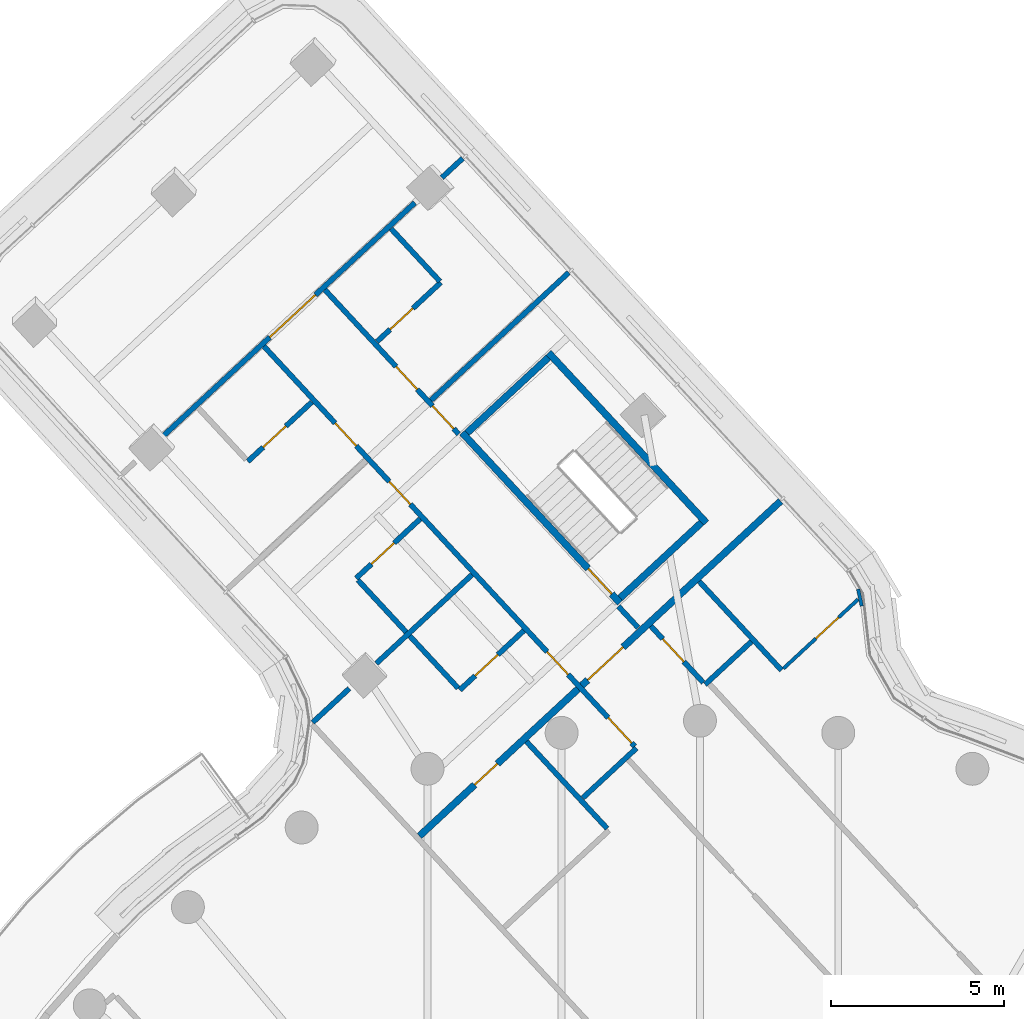
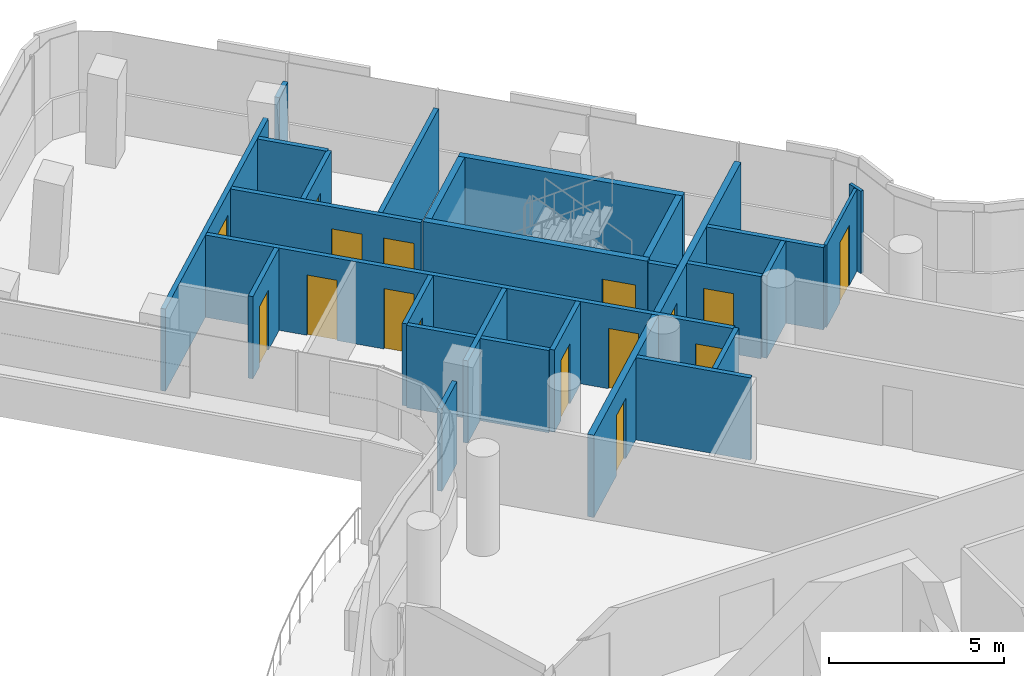
# One storey, part 25 of 34: 26 walls, 16 doors, 16 openings.
"""IFC4 building model written with IfcOpenShell, lengths in metres."""

from ifc_helpers import new_model, si_unit, direction, frame, frame_2d, origin, place, context, subcontext, project, spatial, polyline, rectangle, outline, extrude, material, layer, layer_set, type_object, element, fill, save


model = new_model("IFC4")

# Units and contexts
model_context = context("Model", 3, precision=1e-05, world=origin(), true_north=direction((0.0, 1.0)))
body_context = subcontext(model_context, "Body", "Model", "MODEL_VIEW")
ifc_project = project(units=[si_unit("LENGTHUNIT", "METRE"), si_unit("AREAUNIT", "SQUARE_METRE"), si_unit("VOLUMEUNIT", "CUBIC_METRE"), si_unit("PLANEANGLEUNIT", "RADIAN"), si_unit("MASSUNIT", "GRAM", prefix="KILO")], contexts=[model_context])

# Site, building, storey
site_placement = place(None, origin())
site = spatial("IfcSite", under=ifc_project, at=site_placement, CompositionType="ELEMENT")
building_placement = place(site_placement, origin())
building = spatial("IfcBuilding", under=site, at=building_placement, Name="Tamarind Cross Interchange Tower", CompositionType="ELEMENT")
storey_placement = place(building_placement, frame((0.0, 0.0, 189.699951171875)))
storey = spatial("IfcBuildingStorey", under=building, at=storey_placement, Name="L47", CompositionType="ELEMENT", Elevation=189.699951171875)

# Wall, opening, door
ifc_material_1 = material(Name="Gypsum board partition on steel studs", Category="steel")
ifc_layer_1 = layer(ifc_material_1, 0.10009765625)
ifc_layer_set_1 = layer_set([ifc_layer_1], Name="Gypsum board partition on steel studs")
wall_type_1 = type_object("IfcWallType", Name="Partition 100 mm EI 90", PredefinedType="PARTITIONING", material=ifc_layer_set_1)
wall_1_placement = place(storey_placement, frame((2.411865234375, 24.50927734375, 0.0), z_axis=(0.0, 0.0, 1.0), x_axis=(0.733258356223, 0.679950132752, 0.0)))
wall_1 = element("IfcWall", 1, at=wall_1_placement, inside=storey, type_object=wall_type_1, Name="Partition L47-067", PredefinedType="PARTITIONING", context=body_context, shape_type="SweptSolid", body=[
    extrude(rectangle(XDim=2.935546875, YDim=0.10009765625, at=frame_2d((1.4677734375, 0.0))), origin(), (0.0, 0.0, 1.0), 2.864013671875),
])
opening_1_placement = place(wall_1_placement, frame((1.27490234375, 0.0, 0.0)))
opening_1 = element("IfcOpeningElement", 2, at=opening_1_placement, cuts=wall_1, Name="Opening D39", PredefinedType="OPENING", context=body_context, shape_type="SweptSolid", body=[
    extrude(rectangle(XDim=0.89990234375, YDim=2.10009765625, at=frame_2d((0.449951171875, 1.050048828125))), frame((0.0, 0.06005859375, 0.0), z_axis=(0.0, -1.0, 0.0), x_axis=(1.0, 0.0, 0.0)), (0.0, 0.0, 1.0), 0.1201171875),
])
ifc_material_2 = material(Name="Fire-resisting door set")
door_type_1 = type_object("IfcDoorType", Name="Interior door 900 x 2100 FD60S", OperationType="SINGLE_SWING_LEFT", PredefinedType="DOOR", material=ifc_material_2)
door_1_placement = place(opening_1_placement, origin())
door_1 = element("IfcDoor", 3, at=door_1_placement, inside=storey, type_object=door_type_1, Name="Door D39", OperationType="SINGLE_SWING_LEFT", OverallHeight=2.10009765625, OverallWidth=0.89990234375, PredefinedType="DOOR", context=body_context, shape_type="SweptSolid", body=[
    extrude(rectangle(XDim=0.89990234375, YDim=2.10009765625, at=frame_2d((0.449951171875, 1.050048828125))), frame((0.0, 0.02490234375, 0.0), z_axis=(0.0, -1.0, 0.0), x_axis=(1.0, 0.0, 0.0)), (0.0, 0.0, 1.0), 0.050048828125),
])
fill(opening_1, door_1)

# Walls
wall_2_placement = place(storey_placement, frame((4.671142578125, 26.311767578125, 0.0), z_axis=(0.0, 0.0, 1.0), x_axis=(-0.207093447058, 0.978321166175, 0.0)))
element("IfcWall", 4, at=wall_2_placement, inside=storey, type_object=wall_type_1, Name="Partition L47-094", PredefinedType="PARTITIONING", context=body_context, shape_type="SweptSolid", body=[
    extrude(rectangle(XDim=0.499755859375, YDim=0.10009765625, at=frame_2d((0.25, 0.0))), origin(), (0.0, 0.0, 1.0), 2.864013671875),
])
ifc_layer_2 = layer(ifc_material_1, 0.14990234375)
ifc_layer_set_2 = layer_set([ifc_layer_2], Name="Gypsum board partition on steel studs")
wall_type_2 = type_object("IfcWallType", Name="Partition 150 mm EI 120", PredefinedType="PARTITIONING", material=ifc_layer_set_2)
wall_3_placement = place(storey_placement, frame((-9.874267578125, 27.061767578125, 0.0), z_axis=(0.0, 0.0, 1.0), x_axis=(0.679983920545, -0.73322702337, 0.0)))
element("IfcWall", 5, at=wall_3_placement, inside=storey, type_object=wall_type_2, Name="Partition L47-012", PredefinedType="PARTITIONING", context=body_context, shape_type="SweptSolid", body=[
    extrude(rectangle(XDim=4.250732421875, YDim=0.14990234375, at=frame_2d((2.12548828125, 0.0))), origin(), (0.0, 0.0, 1.0), 2.864013671875),
])

# Wall, openings, doors
wall_4_placement = place(storey_placement, frame((-12.587646484375, 33.811279296875, 0.0), z_axis=(0.0, 0.0, 1.0), x_axis=(0.6797793132, -0.733416720116, 0.0)))
wall_4 = element("IfcWall", 6, at=wall_4_placement, inside=storey, type_object=wall_type_2, Name="Partition L47-013", PredefinedType="PARTITIONING", context=body_context, shape_type="SweptSolid", body=[
    extrude(rectangle(XDim=15.744384765625, YDim=0.14990234375, at=frame_2d((7.8720703125, 0.0))), origin(), (0.0, 0.0, 1.0), 2.864013671875),
])
opening_2_placement = place(wall_4_placement, frame((14.619140625, 0.0, 0.0)))
opening_2 = element("IfcOpeningElement", 7, at=opening_2_placement, cuts=wall_4, Name="Opening D05", PredefinedType="OPENING", context=body_context, shape_type="SweptSolid", body=[
    extrude(rectangle(XDim=1.0, YDim=2.10009765625, at=frame_2d((0.5, 1.050048828125))), frame((0.0, 0.0849609375, 0.0), z_axis=(0.0, -1.0, 0.0), x_axis=(1.0, 0.0, 0.0)), (0.0, 0.0, 1.0), 0.169921875),
])
opening_3_placement = place(wall_4_placement, frame((12.02001953125, 0.0, 0.0)))
opening_3 = element("IfcOpeningElement", 8, at=opening_3_placement, cuts=wall_4, Name="Opening D06", PredefinedType="OPENING", context=body_context, shape_type="SweptSolid", body=[
    extrude(rectangle(XDim=0.89990234375, YDim=2.10009765625, at=frame_2d((0.449951171875, 1.050048828125))), frame((0.0, 0.0849609375, 0.0), z_axis=(0.0, -1.0, 0.0), x_axis=(1.0, 0.0, 0.0)), (0.0, 0.0, 1.0), 0.169921875),
])
opening_4_placement = place(wall_4_placement, frame((5.319580078125, 0.0, 0.0)))
opening_4 = element("IfcOpeningElement", 9, at=opening_4_placement, cuts=wall_4, Name="Opening D07", PredefinedType="OPENING", context=body_context, shape_type="SweptSolid", body=[
    extrude(rectangle(XDim=0.89990234375, YDim=2.10009765625, at=frame_2d((0.449951171875, 1.050048828125))), frame((0.0, 0.0849609375, 0.0), z_axis=(0.0, -1.0, 0.0), x_axis=(1.0, 0.0, 0.0)), (0.0, 0.0, 1.0), 0.169921875),
])
opening_5_placement = place(wall_4_placement, frame((3.019287109375, 0.0, 0.0)))
opening_5 = element("IfcOpeningElement", 10, at=opening_5_placement, cuts=wall_4, Name="Opening D08", PredefinedType="OPENING", context=body_context, shape_type="SweptSolid", body=[
    extrude(rectangle(XDim=0.89990234375, YDim=2.10009765625, at=frame_2d((0.449951171875, 1.050048828125))), frame((0.0, 0.0849609375, 0.0), z_axis=(0.0, -1.0, 0.0), x_axis=(1.0, 0.0, 0.0)), (0.0, 0.0, 1.0), 0.169921875),
])
door_type_2 = type_object("IfcDoorType", Name="Interior door 1000 x 2100 FD60S", OperationType="SINGLE_SWING_LEFT", PredefinedType="DOOR", material=ifc_material_2)
door_2_placement = place(opening_2_placement, frame((1.0, 0.0, 0.0), z_axis=(0.0, 0.0, 1.0), x_axis=(-1.0, 0.0, 0.0)))
door_2 = element("IfcDoor", 11, at=door_2_placement, inside=storey, type_object=door_type_2, Name="Door D05", OperationType="SINGLE_SWING_RIGHT", OverallHeight=2.10009765625, OverallWidth=1.0, PredefinedType="DOOR", context=body_context, shape_type="SweptSolid", body=[
    extrude(rectangle(XDim=1.0, YDim=2.10009765625, at=frame_2d((0.5, 1.050048828125))), frame((0.0, 0.02490234375, 0.0), z_axis=(0.0, -1.0, 0.0), x_axis=(1.0, 0.0, 0.0)), (0.0, 0.0, 1.0), 0.050048828125),
])
fill(opening_2, door_2)
door_3_placement = place(opening_3_placement, frame((0.89990234375, 0.0, 0.0), z_axis=(0.0, 0.0, 1.0), x_axis=(-1.0, 0.0, 0.0)))
door_3 = element("IfcDoor", 12, at=door_3_placement, inside=storey, type_object=door_type_1, Name="Door D06", OperationType="SINGLE_SWING_RIGHT", OverallHeight=2.10009765625, OverallWidth=0.89990234375, PredefinedType="DOOR", context=body_context, shape_type="SweptSolid", body=[
    extrude(rectangle(XDim=0.89990234375, YDim=2.10009765625, at=frame_2d((0.449951171875, 1.050048828125))), frame((0.0, 0.02490234375, 0.0), z_axis=(0.0, -1.0, 0.0), x_axis=(1.0, 0.0, 0.0)), (0.0, 0.0, 1.0), 0.050048828125),
])
fill(opening_3, door_3)
door_4_placement = place(opening_4_placement, frame((0.89990234375, 0.0, 0.0), z_axis=(0.0, 0.0, 1.0), x_axis=(-1.0, 0.0, 0.0)))
door_4 = element("IfcDoor", 13, at=door_4_placement, inside=storey, type_object=door_type_1, Name="Door D07", OperationType="SINGLE_SWING_LEFT", OverallHeight=2.10009765625, OverallWidth=0.89990234375, PredefinedType="DOOR", context=body_context, shape_type="SweptSolid", body=[
    extrude(rectangle(XDim=0.89990234375, YDim=2.10009765625, at=frame_2d((0.449951171875, 1.050048828125))), frame((0.0, 0.02490234375, 0.0), z_axis=(0.0, -1.0, 0.0), x_axis=(1.0, 0.0, 0.0)), (0.0, 0.0, 1.0), 0.050048828125),
])
fill(opening_4, door_4)
door_5_placement = place(opening_5_placement, frame((0.89990234375, 0.0, 0.0), z_axis=(0.0, 0.0, 1.0), x_axis=(-1.0, 0.0, 0.0)))
door_5 = element("IfcDoor", 14, at=door_5_placement, inside=storey, type_object=door_type_1, Name="Door D08", OperationType="SINGLE_SWING_LEFT", OverallHeight=2.10009765625, OverallWidth=0.89990234375, PredefinedType="DOOR", context=body_context, shape_type="SweptSolid", body=[
    extrude(rectangle(XDim=0.89990234375, YDim=2.10009765625, at=frame_2d((0.449951171875, 1.050048828125))), frame((0.0, 0.02490234375, 0.0), z_axis=(0.0, -1.0, 0.0), x_axis=(1.0, 0.0, 0.0)), (0.0, 0.0, 1.0), 0.050048828125),
])
fill(opening_5, door_5)

wall_5_placement = place(storey_placement, frame((-10.82861328125, 35.443359375, 0.0), z_axis=(0.0, 0.0, 1.0), x_axis=(0.679892086102, -0.733312178581, 0.0)))
wall_5 = element("IfcWall", 15, at=wall_5_placement, inside=storey, type_object=wall_type_2, Name="Partition L47-015", PredefinedType="PARTITIONING", context=body_context, shape_type="SweptSolid", body=[
    extrude(rectangle(XDim=5.6806640625, YDim=0.14990234375, at=frame_2d((2.84033203125, 0.0))), origin(), (0.0, 0.0, 1.0), 2.864013671875),
])
opening_6_placement = place(wall_5_placement, frame((3.02001953125, 0.0, 0.0)))
opening_6 = element("IfcOpeningElement", 16, at=opening_6_placement, cuts=wall_5, Name="Opening D09", PredefinedType="OPENING", context=body_context, shape_type="SweptSolid", body=[
    extrude(rectangle(XDim=0.89990234375, YDim=2.10009765625, at=frame_2d((0.449951171875, 1.050048828125))), frame((0.0, 0.0849609375, 0.0), z_axis=(0.0, -1.0, 0.0), x_axis=(1.0, 0.0, 0.0)), (0.0, 0.0, 1.0), 0.169921875),
])
opening_7_placement = place(wall_5_placement, frame((4.5703125, 0.0, 0.0)))
opening_7 = element("IfcOpeningElement", 17, at=opening_7_placement, cuts=wall_5, Name="Opening D10", PredefinedType="OPENING", context=body_context, shape_type="SweptSolid", body=[
    extrude(rectangle(XDim=0.89990234375, YDim=2.10009765625, at=frame_2d((0.449951171875, 1.050048828125))), frame((0.0, 0.0849609375, 0.0), z_axis=(0.0, -1.0, 0.0), x_axis=(1.0, 0.0, 0.0)), (0.0, 0.0, 1.0), 0.169921875),
])
door_6_placement = place(opening_6_placement, origin())
door_6 = element("IfcDoor", 18, at=door_6_placement, inside=storey, type_object=door_type_1, Name="Door D09", OperationType="SINGLE_SWING_LEFT", OverallHeight=2.10009765625, OverallWidth=0.89990234375, PredefinedType="DOOR", context=body_context, shape_type="SweptSolid", body=[
    extrude(rectangle(XDim=0.89990234375, YDim=2.10009765625, at=frame_2d((0.449951171875, 1.050048828125))), frame((0.0, 0.02490234375, 0.0), z_axis=(0.0, -1.0, 0.0), x_axis=(1.0, 0.0, 0.0)), (0.0, 0.0, 1.0), 0.050048828125),
])
fill(opening_6, door_6)
door_7_placement = place(opening_7_placement, origin())
door_7 = element("IfcDoor", 19, at=door_7_placement, inside=storey, type_object=door_type_1, Name="Door D10", OperationType="SINGLE_SWING_LEFT", OverallHeight=2.10009765625, OverallWidth=0.89990234375, PredefinedType="DOOR", context=body_context, shape_type="SweptSolid", body=[
    extrude(rectangle(XDim=0.89990234375, YDim=2.10009765625, at=frame_2d((0.449951171875, 1.050048828125))), frame((0.0, 0.02490234375, 0.0), z_axis=(0.0, -1.0, 0.0), x_axis=(1.0, 0.0, 0.0)), (0.0, 0.0, 1.0), 0.050048828125),
])
fill(opening_7, door_7)

# Walls
wall_6_placement = place(storey_placement, frame((-2.3564453125, 26.3056640625, 0.0), z_axis=(0.0, 0.0, 1.0), x_axis=(0.679848592059, -0.733352501785, 0.0)))
element("IfcWall", 20, at=wall_6_placement, inside=storey, type_object=wall_type_2, Name="Partition L47-016", PredefinedType="PARTITIONING", context=body_context, shape_type="SweptSolid", body=[
    extrude(rectangle(XDim=0.839599609375, YDim=0.14990234375, at=frame_2d((0.419921875, 0.0))), origin(), (0.0, 0.0, 1.0), 2.864013671875),
])
wall_7_placement = place(storey_placement, frame((-8.921630859375, 37.211181640625, 0.0), z_axis=(0.0, 0.0, 1.0), x_axis=(0.67984779137, -0.733353244057, 0.0)))
element("IfcWall", 21, at=wall_7_placement, inside=storey, type_object=wall_type_2, Name="Partition L47-018", PredefinedType="PARTITIONING", context=body_context, shape_type="SweptSolid", body=[
    extrude(rectangle(XDim=2.08056640625, YDim=0.14990234375, at=frame_2d((1.040283203125, 0.0))), origin(), (0.0, 0.0, 1.0), 2.864013671875),
])
wall_8_placement = place(storey_placement, frame((-5.009033203125, 22.401611328125, 0.0), z_axis=(0.0, 0.0, 1.0), x_axis=(0.679947924825, -0.733260403627, 0.0)))
element("IfcWall", 22, at=wall_8_placement, inside=storey, type_object=wall_type_2, Name="Partition L47-020", PredefinedType="PARTITIONING", context=body_context, shape_type="SweptSolid", body=[
    extrude(rectangle(XDim=3.42529296875, YDim=0.14990234375, at=frame_2d((1.712646484375, 0.0))), origin(), (0.0, 0.0, 1.0), 2.864013671875),
])

# Wall, opening, door
wall_9_placement = place(storey_placement, frame((-1.416015625, 25.732666015625, 0.0), z_axis=(0.0, 0.0, 1.0), x_axis=(0.679936338433, -0.733271147448, 0.0)))
wall_9 = element("IfcWall", 23, at=wall_9_placement, inside=storey, type_object=wall_type_2, Name="Partition L47-022", PredefinedType="PARTITIONING", context=body_context, shape_type="SweptSolid", body=[
    extrude(rectangle(XDim=2.219970703125, YDim=0.14990234375, at=frame_2d((1.10986328125, 0.0))), origin(), (0.0, 0.0, 1.0), 2.864013671875),
])
opening_8_placement = place(wall_9_placement, frame((0.5, 0.0, 0.0)))
opening_8 = element("IfcOpeningElement", 24, at=opening_8_placement, cuts=wall_9, Name="Opening D14", PredefinedType="OPENING", context=body_context, shape_type="SweptSolid", body=[
    extrude(rectangle(XDim=0.89990234375, YDim=2.10009765625, at=frame_2d((0.449951171875, 1.050048828125))), frame((0.0, 0.0849609375, 0.0), z_axis=(0.0, -1.0, 0.0), x_axis=(1.0, 0.0, 0.0)), (0.0, 0.0, 1.0), 0.169921875),
])
door_8_placement = place(opening_8_placement, origin())
door_8 = element("IfcDoor", 25, at=door_8_placement, inside=storey, type_object=door_type_1, Name="Door D14", OperationType="SINGLE_SWING_RIGHT", OverallHeight=2.10009765625, OverallWidth=0.89990234375, PredefinedType="DOOR", context=body_context, shape_type="SweptSolid", body=[
    extrude(rectangle(XDim=0.89990234375, YDim=2.10009765625, at=frame_2d((0.449951171875, 1.050048828125))), frame((0.0, 0.02490234375, 0.0), z_axis=(0.0, -1.0, 0.0), x_axis=(1.0, 0.0, 0.0)), (0.0, 0.0, 1.0), 0.050048828125),
])
fill(opening_8, door_8)

# Wall
wall_10_placement = place(storey_placement, frame((-0.02197265625, 27.024658203125, 0.0), z_axis=(0.0, 0.0, 1.0), x_axis=(0.679701507536, -0.7334888279, 0.0)))
element("IfcWall", 26, at=wall_10_placement, inside=storey, type_object=wall_type_2, Name="Partition L47-023", PredefinedType="PARTITIONING", context=body_context, shape_type="SweptSolid", body=[
    extrude(rectangle(XDim=3.49951171875, YDim=0.14990234375, at=frame_2d((1.749755859375, 0.0))), origin(), (0.0, 0.0, 1.0), 2.864013671875),
])

# Wall, opening, door
wall_11_placement = place(storey_placement, frame((-15.5224609375, 31.19970703125, 0.0), z_axis=(0.0, 0.0, 1.0), x_axis=(0.733337400368, 0.679864881591, 0.0)))
wall_11 = element("IfcWall", 27, at=wall_11_placement, inside=storey, type_object=wall_type_2, Name="Partition L47-054", PredefinedType="PARTITIONING", context=body_context, shape_type="SweptSolid", body=[
    extrude(rectangle(XDim=9.939697265625, YDim=0.14990234375, at=frame_2d((4.9697265625, 0.0))), origin(), (0.0, 0.0, 1.0), 2.864013671875),
])
opening_9_placement = place(wall_11_placement, frame((4.227783203125, 0.0, 0.0)))
opening_9 = element("IfcOpeningElement", 28, at=opening_9_placement, cuts=wall_11, Name="Opening D32", PredefinedType="OPENING", context=body_context, shape_type="SweptSolid", body=[
    extrude(rectangle(XDim=1.800048828125, YDim=2.10009765625, at=frame_2d((0.89990234375, 1.050048828125))), frame((0.0, 0.0849609375, 0.0), z_axis=(0.0, -1.0, 0.0), x_axis=(1.0, 0.0, 0.0)), (0.0, 0.0, 1.0), 0.169921875),
])
door_type_3 = type_object("IfcDoorType", Name="Interior door 1800 x 2100 FD60S", OperationType="DOUBLE_DOOR_SINGLE_SWING", PredefinedType="DOOR", material=ifc_material_2)
door_9_placement = place(opening_9_placement, origin())
door_9 = element("IfcDoor", 29, at=door_9_placement, inside=storey, type_object=door_type_3, Name="Door D32", OperationType="DOUBLE_DOOR_SINGLE_SWING", OverallHeight=2.10009765625, OverallWidth=1.800048828125, PredefinedType="DOOR", context=body_context, shape_type="SweptSolid", body=[
    extrude(rectangle(XDim=1.800048828125, YDim=2.10009765625, at=frame_2d((0.89990234375, 1.050048828125))), frame((0.0, 0.02490234375, 0.0), z_axis=(0.0, -1.0, 0.0), x_axis=(1.0, 0.0, 0.0)), (0.0, 0.0, 1.0), 0.050048828125),
])
fill(opening_9, door_9)

# Walls
wall_12_placement = place(storey_placement, frame((-7.45361328125, 38.68017578125, 0.0), z_axis=(0.0, 0.0, 1.0), x_axis=(0.733426691731, 0.679768554624, 0.0)))
element("IfcWall", 30, at=wall_12_placement, inside=storey, type_object=wall_type_2, Name="Partition L47-055", PredefinedType="PARTITIONING", context=body_context, shape_type="SweptSolid", body=[
    extrude(rectangle(XDim=0.823486328125, YDim=0.14990234375, at=frame_2d((0.41162109375, 0.0))), origin(), (0.0, 0.0, 1.0), 2.864013671875),
])
wall_13_placement = place(storey_placement, frame((-7.764404296875, 32.25634765625, 0.0), z_axis=(0.0, 0.0, 1.0), x_axis=(0.733252229388, 0.679956739872, 0.0)))
element("IfcWall", 31, at=wall_13_placement, inside=storey, type_object=wall_type_2, Name="Partition L47-058", PredefinedType="PARTITIONING", context=body_context, shape_type="SweptSolid", body=[
    extrude(rectangle(XDim=5.419189453125, YDim=0.14990234375, at=frame_2d((2.70947265625, 0.0))), origin(), (0.0, 0.0, 1.0), 2.864013671875),
])

# Wall, opening, door
wall_14_placement = place(storey_placement, frame((-13.052978515625, 30.489013671875, 0.0), z_axis=(0.0, 0.0, 1.0), x_axis=(0.733110910344, 0.680109103847, 0.0)))
wall_14 = element("IfcWall", 32, at=wall_14_placement, inside=storey, type_object=wall_type_2, Name="Partition L47-059", PredefinedType="PARTITIONING", context=body_context, shape_type="SweptSolid", body=[
    extrude(rectangle(XDim=2.51953125, YDim=0.14990234375, at=frame_2d((1.259765625, 0.0))), origin(), (0.0, 0.0, 1.0), 2.864013671875),
])
opening_10_placement = place(wall_14_placement, frame((0.60009765625, 0.0, 0.0)))
opening_10 = element("IfcOpeningElement", 33, at=opening_10_placement, cuts=wall_14, Name="Opening D33", PredefinedType="OPENING", context=body_context, shape_type="SweptSolid", body=[
    extrude(rectangle(XDim=0.89990234375, YDim=2.10009765625, at=frame_2d((0.449951171875, 1.050048828125))), frame((0.0, 0.0849609375, 0.0), z_axis=(0.0, -1.0, 0.0), x_axis=(1.0, 0.0, 0.0)), (0.0, 0.0, 1.0), 0.169921875),
])
door_10_placement = place(opening_10_placement, origin())
door_10 = element("IfcDoor", 34, at=door_10_placement, inside=storey, type_object=door_type_1, Name="Door D33", OperationType="SINGLE_SWING_RIGHT", OverallHeight=2.10009765625, OverallWidth=0.89990234375, PredefinedType="DOOR", context=body_context, shape_type="SweptSolid", body=[
    extrude(rectangle(XDim=0.89990234375, YDim=2.10009765625, at=frame_2d((0.449951171875, 1.050048828125))), frame((0.0, 0.02490234375, 0.0), z_axis=(0.0, -1.0, 0.0), x_axis=(1.0, 0.0, 0.0)), (0.0, 0.0, 1.0), 0.050048828125),
])
fill(opening_10, door_10)

wall_15_placement = place(storey_placement, frame((-9.32861328125, 33.943603515625, 0.0), z_axis=(0.0, 0.0, 1.0), x_axis=(0.733155724399, 0.68006079418, 0.0)))
wall_15 = element("IfcWall", 35, at=wall_15_placement, inside=storey, type_object=wall_type_2, Name="Partition L47-060", PredefinedType="PARTITIONING", context=body_context, shape_type="SweptSolid", body=[
    extrude(rectangle(XDim=2.519775390625, YDim=0.14990234375, at=frame_2d((1.259765625, 0.0))), origin(), (0.0, 0.0, 1.0), 2.864013671875),
])
opening_11_placement = place(wall_15_placement, frame((0.52001953125, 0.0, 0.0)))
opening_11 = element("IfcOpeningElement", 36, at=opening_11_placement, cuts=wall_15, Name="Opening D34", PredefinedType="OPENING", context=body_context, shape_type="SweptSolid", body=[
    extrude(rectangle(XDim=0.89990234375, YDim=2.10009765625, at=frame_2d((0.449951171875, 1.050048828125))), frame((0.0, 0.0849609375, 0.0), z_axis=(0.0, -1.0, 0.0), x_axis=(1.0, 0.0, 0.0)), (0.0, 0.0, 1.0), 0.169921875),
])
door_11_placement = place(opening_11_placement, origin())
door_11 = element("IfcDoor", 37, at=door_11_placement, inside=storey, type_object=door_type_1, Name="Door D34", OperationType="SINGLE_SWING_RIGHT", OverallHeight=2.10009765625, OverallWidth=0.89990234375, PredefinedType="DOOR", context=body_context, shape_type="SweptSolid", body=[
    extrude(rectangle(XDim=0.89990234375, YDim=2.10009765625, at=frame_2d((0.449951171875, 1.050048828125))), frame((0.0, 0.02490234375, 0.0), z_axis=(0.0, -1.0, 0.0), x_axis=(1.0, 0.0, 0.0)), (0.0, 0.0, 1.0), 0.050048828125),
])
fill(opening_11, door_11)

# Walls
wall_16_placement = place(storey_placement, frame((-11.181396484375, 22.95166015625, 0.0), z_axis=(0.0, 0.0, 1.0), x_axis=(0.733245156738, 0.679964366802, 0.0)))
element("IfcWall", 38, at=wall_16_placement, inside=storey, type_object=wall_type_2, Name="Partition L47-061", PredefinedType="PARTITIONING", context=body_context, shape_type="SweptSolid", body=[
    extrude(rectangle(XDim=1.443359375, YDim=0.14990234375, at=frame_2d((0.7216796875, 0.0))), origin(), (0.0, 0.0, 1.0), 2.864013671875),
])
wall_17_placement = place(storey_placement, frame((-9.34326171875, 24.656005859375, 0.0), z_axis=(0.0, 0.0, 1.0), x_axis=(0.733222895543, 0.679988371556, 0.0)))
element("IfcWall", 39, at=wall_17_placement, inside=storey, type_object=wall_type_2, Name="Partition L47-062", PredefinedType="PARTITIONING", context=body_context, shape_type="SweptSolid", body=[
    extrude(rectangle(XDim=3.76513671875, YDim=0.14990234375, at=frame_2d((1.882568359375, 0.0))), origin(), (0.0, 0.0, 1.0), 2.864013671875),
])

# Wall, opening, door
wall_18_placement = place(storey_placement, frame((-9.926025390625, 27.115966796875, 0.0), z_axis=(0.0, 0.0, 1.0), x_axis=(0.733334885153, 0.679867594623, 0.0)))
wall_18 = element("IfcWall", 40, at=wall_18_placement, inside=storey, type_object=wall_type_2, Name="Partition L47-063", PredefinedType="PARTITIONING", context=body_context, shape_type="SweptSolid", body=[
    extrude(rectangle(XDim=2.5205078125, YDim=0.14990234375, at=frame_2d((1.26025390625, 0.0))), origin(), (0.0, 0.0, 1.0), 2.864013671875),
])
opening_12_placement = place(wall_18_placement, frame((0.60009765625, 0.0, 0.0)))
opening_12 = element("IfcOpeningElement", 41, at=opening_12_placement, cuts=wall_18, Name="Opening D35", PredefinedType="OPENING", context=body_context, shape_type="SweptSolid", body=[
    extrude(rectangle(XDim=0.89990234375, YDim=2.10009765625, at=frame_2d((0.449951171875, 1.050048828125))), frame((0.0, 0.0849609375, 0.0), z_axis=(0.0, -1.0, 0.0), x_axis=(1.0, 0.0, 0.0)), (0.0, 0.0, 1.0), 0.169921875),
])
door_12_placement = place(opening_12_placement, frame((0.89990234375, 0.0, 0.0), z_axis=(0.0, 0.0, 1.0), x_axis=(-1.0, 0.0, 0.0)))
door_12 = element("IfcDoor", 42, at=door_12_placement, inside=storey, type_object=door_type_1, Name="Door D35", OperationType="SINGLE_SWING_LEFT", OverallHeight=2.10009765625, OverallWidth=0.89990234375, PredefinedType="DOOR", context=body_context, shape_type="SweptSolid", body=[
    extrude(rectangle(XDim=0.89990234375, YDim=2.10009765625, at=frame_2d((0.449951171875, 1.050048828125))), frame((0.0, 0.02490234375, 0.0), z_axis=(0.0, -1.0, 0.0), x_axis=(1.0, 0.0, 0.0)), (0.0, 0.0, 1.0), 0.050048828125),
])
fill(opening_12, door_12)

wall_19_placement = place(storey_placement, frame((-6.93408203125, 23.888916015625, 0.0), z_axis=(0.0, 0.0, 1.0), x_axis=(0.733334885153, 0.679867594623, 0.0)))
wall_19 = element("IfcWall", 43, at=wall_19_placement, inside=storey, type_object=wall_type_2, Name="Partition L47-065", PredefinedType="PARTITIONING", context=body_context, shape_type="SweptSolid", body=[
    extrude(rectangle(XDim=2.5205078125, YDim=0.14990234375, at=frame_2d((1.26025390625, 0.0))), origin(), (0.0, 0.0, 1.0), 2.864013671875),
])
opening_13_placement = place(wall_19_placement, frame((0.60009765625, 0.0, 0.0)))
opening_13 = element("IfcOpeningElement", 44, at=opening_13_placement, cuts=wall_19, Name="Opening D38", PredefinedType="OPENING", context=body_context, shape_type="SweptSolid", body=[
    extrude(rectangle(XDim=0.89990234375, YDim=2.10009765625, at=frame_2d((0.449951171875, 1.050048828125))), frame((0.0, 0.0849609375, 0.0), z_axis=(0.0, -1.0, 0.0), x_axis=(1.0, 0.0, 0.0)), (0.0, 0.0, 1.0), 0.169921875),
])
door_13_placement = place(opening_13_placement, origin())
door_13 = element("IfcDoor", 45, at=door_13_placement, inside=storey, type_object=door_type_1, Name="Door D38", OperationType="SINGLE_SWING_RIGHT", OverallHeight=2.10009765625, OverallWidth=0.89990234375, PredefinedType="DOOR", context=body_context, shape_type="SweptSolid", body=[
    extrude(rectangle(XDim=0.89990234375, YDim=2.10009765625, at=frame_2d((0.449951171875, 1.050048828125))), frame((0.0, 0.02490234375, 0.0), z_axis=(0.0, -1.0, 0.0), x_axis=(1.0, 0.0, 0.0)), (0.0, 0.0, 1.0), 0.050048828125),
])
fill(opening_13, door_13)

# Walls
wall_20_placement = place(storey_placement, frame((-3.38623046875, 20.769287109375, 0.0), z_axis=(0.0, 0.0, 1.0), x_axis=(0.733265024859, 0.679942941223, 0.0)))
element("IfcWall", 46, at=wall_20_placement, inside=storey, type_object=wall_type_2, Name="Partition L47-068", PredefinedType="PARTITIONING", context=body_context, shape_type="SweptSolid", body=[
    extrude(rectangle(XDim=2.119873046875, YDim=0.14990234375, at=frame_2d((1.06005859375, 0.0))), origin(), (0.0, 0.0, 1.0), 2.864013671875),
])
wall_21_placement = place(storey_placement, frame((0.147705078125, 24.04638671875, 0.0), z_axis=(0.0, 0.0, 1.0), x_axis=(0.733299775598, 0.679905463361, 0.0)))
element("IfcWall", 47, at=wall_21_placement, inside=storey, type_object=wall_type_2, Name="Partition L47-069", PredefinedType="PARTITIONING", context=body_context, shape_type="SweptSolid", body=[
    extrude(rectangle(XDim=1.81982421875, YDim=0.14990234375, at=frame_2d((0.909912109375, 0.0))), origin(), (0.0, 0.0, 1.0), 2.864013671875),
])

# Wall, openings, doors
ifc_layer_3 = layer(ifc_material_1, 0.199951171875)
ifc_layer_set_3 = layer_set([ifc_layer_3], Name="Gypsum board partition on steel studs")
wall_type_3 = type_object("IfcWallType", Name="Partition 200 mm EI 180", PredefinedType="PARTITIONING", material=ifc_layer_set_3)
wall_22_placement = place(storey_placement, frame((-8.098388671875, 19.67333984375, 0.0), z_axis=(0.0, 0.0, 1.0), x_axis=(0.733267845556, 0.67993989931, 0.0)))
wall_22 = element("IfcWall", 48, at=wall_22_placement, inside=storey, type_object=wall_type_3, Name="Partition L47-064", PredefinedType="PARTITIONING", context=body_context, shape_type="SweptSolid", body=[
    extrude(rectangle(XDim=14.219482421875, YDim=0.199951171875, at=frame_2d((7.10986328125, 0.0))), origin(), (0.0, 0.0, 1.0), 2.864013671875),
])
opening_14_placement = place(wall_22_placement, frame((6.620361328125, 0.0, 0.0)))
opening_14 = element("IfcOpeningElement", 49, at=opening_14_placement, cuts=wall_22, Name="Opening D36", PredefinedType="OPENING", context=body_context, shape_type="SweptSolid", body=[
    extrude(rectangle(XDim=1.39990234375, YDim=2.10009765625, at=frame_2d((0.699951171875, 1.050048828125))), frame((0.0, 0.10986328125, 0.0), z_axis=(0.0, -1.0, 0.0), x_axis=(1.0, 0.0, 0.0)), (0.0, 0.0, 1.0), 0.219970703125),
])
opening_15_placement = place(wall_22_placement, frame((2.169921875, 0.0, 0.0)))
opening_15 = element("IfcOpeningElement", 50, at=opening_15_placement, cuts=wall_22, Name="Opening D37", PredefinedType="OPENING", context=body_context, shape_type="SweptSolid", body=[
    extrude(rectangle(XDim=0.89990234375, YDim=2.10009765625, at=frame_2d((0.449951171875, 1.050048828125))), frame((0.0, 0.10986328125, 0.0), z_axis=(0.0, -1.0, 0.0), x_axis=(1.0, 0.0, 0.0)), (0.0, 0.0, 1.0), 0.219970703125),
])
door_type_4 = type_object("IfcDoorType", Name="Interior door 1400 x 2100 FD120S", OperationType="DOUBLE_DOOR_SINGLE_SWING", PredefinedType="DOOR", material=ifc_material_2)
door_14_placement = place(opening_14_placement, frame((1.39990234375, 0.0, 0.0), z_axis=(0.0, 0.0, 1.0), x_axis=(-1.0, 0.0, 0.0)))
door_14 = element("IfcDoor", 51, at=door_14_placement, inside=storey, type_object=door_type_4, Name="Door D36", OperationType="DOUBLE_DOOR_SINGLE_SWING", OverallHeight=2.10009765625, OverallWidth=1.39990234375, PredefinedType="DOOR", context=body_context, shape_type="SweptSolid", body=[
    extrude(rectangle(XDim=1.39990234375, YDim=2.10009765625, at=frame_2d((0.699951171875, 1.050048828125))), frame((0.0, 0.02490234375, 0.0), z_axis=(0.0, -1.0, 0.0), x_axis=(1.0, 0.0, 0.0)), (0.0, 0.0, 1.0), 0.050048828125),
])
fill(opening_14, door_14)
door_type_5 = type_object("IfcDoorType", Name="Interior door 900 x 2100 FD120S", OperationType="SINGLE_SWING_LEFT", PredefinedType="DOOR", material=ifc_material_2)
door_15_placement = place(opening_15_placement, frame((0.89990234375, 0.0, 0.0), z_axis=(0.0, 0.0, 1.0), x_axis=(-1.0, 0.0, 0.0)))
door_15 = element("IfcDoor", 52, at=door_15_placement, inside=storey, type_object=door_type_5, Name="Door D37", OperationType="SINGLE_SWING_LEFT", OverallHeight=2.10009765625, OverallWidth=0.89990234375, PredefinedType="DOOR", context=body_context, shape_type="SweptSolid", body=[
    extrude(rectangle(XDim=0.89990234375, YDim=2.10009765625, at=frame_2d((0.449951171875, 1.050048828125))), frame((0.0, 0.02490234375, 0.0), z_axis=(0.0, -1.0, 0.0), x_axis=(1.0, 0.0, 0.0)), (0.0, 0.0, 1.0), 0.050048828125),
])
fill(opening_15, door_15)

# Wall, opening, door
ifc_material_3 = material(Name="Concrete C40", Category="concrete")
ifc_layer_4 = layer(ifc_material_3, 0.199951171875)
ifc_layer_set_4 = layer_set([ifc_layer_4], Name="Concrete C40")
wall_type_4 = type_object("IfcWallType", Name="Stair shaft wall 200 mm Concrete C40", PredefinedType="SHEAR", material=ifc_layer_set_4)
wall_23_placement = place(storey_placement, frame((-2.310302734375, 26.40380859375, -0.139892578125), z_axis=(0.0, 0.0, 1.0), x_axis=(-0.679911421173, 0.733294251551, 0.0)))
wall_23 = element("IfcWall", 53, at=wall_23_placement, inside=storey, type_object=wall_type_4, Name="Core wall CWL-L47-ST4-H", PredefinedType="SHEAR", context=body_context, shape_type="SweptSolid", body=[
    extrude(rectangle(XDim=6.699951171875, YDim=0.199951171875, at=frame_2d((3.35009765625, 0.0))), origin(), (0.0, 0.0, 1.0), 3.00390625),
])
opening_16_placement = place(wall_23_placement, frame((0.35009765625, 0.0, 0.0)))
opening_16 = element("IfcOpeningElement", 54, at=opening_16_placement, cuts=wall_23, Name="Opening ST4L47", PredefinedType="OPENING", context=body_context, shape_type="SweptSolid", body=[
    extrude(rectangle(XDim=1.0, YDim=2.10009765625, at=frame_2d((0.5, 1.050048828125))), frame((0.0, 0.10986328125, 0.0), z_axis=(0.0, -1.0, 0.0), x_axis=(1.0, 0.0, 0.0)), (0.0, 0.0, 1.0), 0.219970703125),
])
ifc_material_4 = material(Name="Steel, fire-resisting", Category="steel")
door_type_6 = type_object("IfcDoorType", Name="Core fire door 1000 x 2100 FD90", OperationType="SINGLE_SWING_LEFT", PredefinedType="DOOR", material=ifc_material_4)
door_16_placement = place(opening_16_placement, origin())
door_16 = element("IfcDoor", 55, at=door_16_placement, inside=storey, type_object=door_type_6, Name="L47 stair door ST4", OperationType="SINGLE_SWING_LEFT", OverallHeight=2.10009765625, OverallWidth=1.0, PredefinedType="DOOR", context=body_context, shape_type="SweptSolid", body=[
    extrude(rectangle(XDim=1.0, YDim=2.10009765625, at=frame_2d((0.5, 1.050048828125))), frame((0.0, 0.02490234375, 0.0), z_axis=(0.0, -1.0, 0.0), x_axis=(1.0, 0.0, 0.0)), (0.0, 0.0, 1.0), 0.050048828125),
])
fill(opening_16, door_16)

# Walls
wall_24_placement = place(storey_placement, frame((0.182861328125, 28.71533203125, -0.139892578125), z_axis=(0.0, 0.0, 1.0), x_axis=(-0.679911421173, 0.733294251551, 0.0)))
element("IfcWall", 56, at=wall_24_placement, inside=storey, type_object=wall_type_4, Name="Core wall CWL-L47-ST4-C", PredefinedType="SHEAR", context=body_context, shape_type="SweptSolid", body=[
    extrude(rectangle(XDim=6.699951171875, YDim=0.199951171875, at=frame_2d((3.35009765625, 0.0))), origin(), (0.0, 0.0, 1.0), 3.00390625),
])
wall_25_placement = place(storey_placement, frame((0.04150390625, 28.720703125, -0.139892578125), z_axis=(0.0, 0.0, 1.0), x_axis=(-0.733268848454, -0.679938817753, 0.0)))
element("IfcWall", 57, at=wall_25_placement, inside=storey, type_object=wall_type_4, Name="Core wall CWL-L47-ST4-CE", PredefinedType="SHEAR", context=body_context, shape_type="SweptSolid", body=[
    extrude(rectangle(XDim=3.199951171875, YDim=0.199951171875, at=frame_2d((1.60009765625, 0.0))), origin(), (0.0, 0.0, 1.0), 3.00390625),
])
wall_26_placement = place(storey_placement, frame((0.0, 0.0, -0.139892578125)))
element("IfcWall", 58, at=wall_26_placement, inside=storey, type_object=wall_type_4, Name="Core wall CWL-L47-ST4-CF", PredefinedType="SHEAR", context=body_context, shape_type="SweptSolid", body=[
    extrude(outline(polyline([(-4.309814453125, 33.413818359375), (-4.44580078125, 33.560546875), (-6.79248046875, 31.384765625), (-6.656494140625, 31.238037109375), (-4.309814453125, 33.413818359375)])), origin(), (0.0, 0.0, 1.0), 3.00390625),
])

save(model, "model.ifc")
